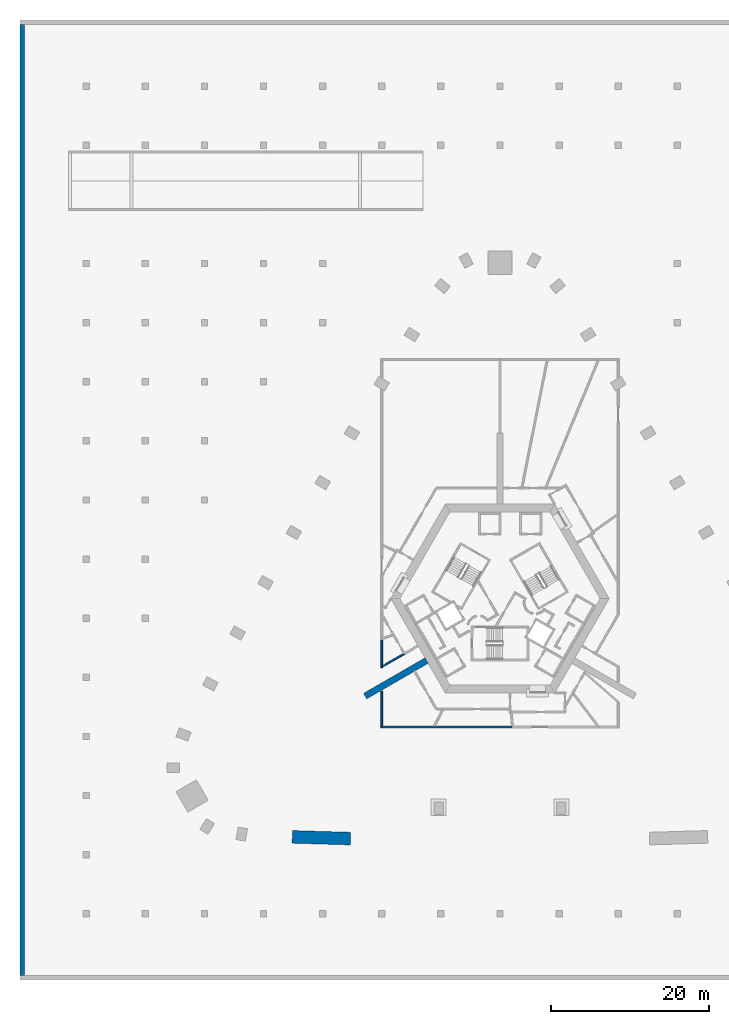
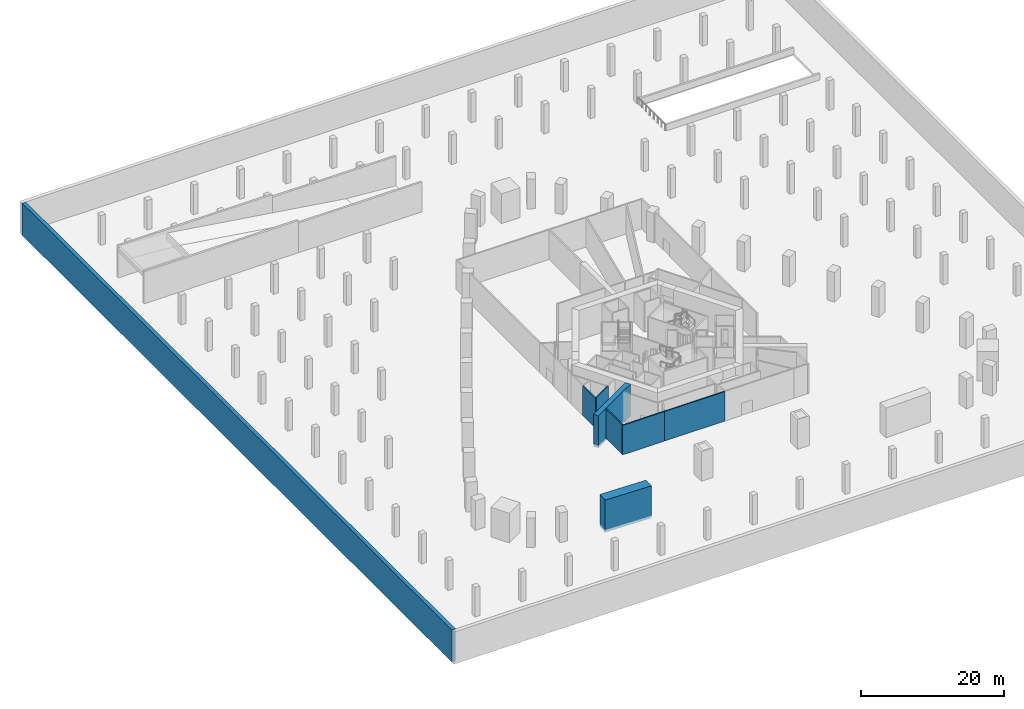
# One storey, part 2 of 12: 8 walls.
"""IFC4 building model written with IfcOpenShell, lengths in metres."""

from ifc_helpers import new_model, si_unit, direction, frame, frame_2d, origin, place, context, subcontext, project, spatial, polyline, rectangle, outline, extrude, material, layer, layer_set, type_object, element, save


model = new_model("IFC4")

# Units and contexts
model_context = context("Model", 3, precision=1e-05, world=origin(), true_north=direction((0.0, 1.0)))
body_context = subcontext(model_context, "Body", "Model", "MODEL_VIEW")
ifc_project = project(units=[si_unit("LENGTHUNIT", "METRE"), si_unit("AREAUNIT", "SQUARE_METRE"), si_unit("VOLUMEUNIT", "CUBIC_METRE"), si_unit("PLANEANGLEUNIT", "RADIAN"), si_unit("MASSUNIT", "GRAM", prefix="KILO")], contexts=[model_context])

# Site, building, storey
site_placement = place(None, origin())
site = spatial("IfcSite", under=ifc_project, at=site_placement, CompositionType="ELEMENT")
building_placement = place(site_placement, origin())
building = spatial("IfcBuilding", under=site, at=building_placement, Name="Entoto Arch Interchange Tower", CompositionType="ELEMENT")
storey_placement = place(building_placement, frame((0.0, 0.0, -11.0)))
storey = spatial("IfcBuildingStorey", under=building, at=storey_placement, Name="B2", CompositionType="ELEMENT", Elevation=-11.0)

# Walls
ifc_material_1 = material(Name="Concrete C60/75", Category="concrete")
ifc_layer_1 = layer(ifc_material_1, 1.60009765625)
ifc_layer_set_1 = layer_set([ifc_layer_1], Name="Concrete C60/75")
wall_type_1 = type_object("IfcWallType", Name="Arch leg wall 1600 C60/75", PredefinedType="SHEAR", material=ifc_layer_set_1)
wall_1_placement = place(storey_placement, frame((0.0, 0.0, -0.419921875)))
element("IfcWall", 1, at=wall_1_placement, inside=storey, type_object=wall_type_1, Name="Arch leg W B2", PredefinedType="SHEAR", context=body_context, shape_type="SweptSolid", body=[
    extrude(outline(polyline([(-26.376953125, -28.5400390625), (-19.0, -28.761962890625), (-18.97607421875, -27.162109375), (-26.321044921875, -26.94091796875), (-26.376953125, -28.5400390625)])), origin(), (0.0, 0.0, 1.0), 5.5),
])
ifc_material_2 = material(Name="Concrete C40/50", Category="concrete")
ifc_layer_2 = layer(ifc_material_2, 0.60009765625)
ifc_layer_set_2 = layer_set([ifc_layer_2], Name="Concrete C40/50")
wall_type_2 = type_object("IfcWallType", Name="Basement retaining wall 600 C40/50", PredefinedType="SOLIDWALL", material=ifc_layer_set_2)
wall_2_placement = place(storey_placement, frame((0.0, 0.0, -0.419921875)))
element("IfcWall", 2, at=wall_2_placement, inside=storey, type_object=wall_type_2, Name="Retaining wall B2", PredefinedType="SOLIDWALL", context=body_context, shape_type="SweptSolid", body=[
    extrude(outline(polyline([(-60.300048828125, -45.300048828125), (-60.300048828125, 75.300048828125), (-60.89990234375, 75.300048828125), (-60.89990234375, -45.300048828125), (-60.300048828125, -45.300048828125)])), origin(), (0.0, 0.0, 1.0), 5.5),
])
ifc_layer_3 = layer(ifc_material_1, 0.800048828125)
ifc_layer_set_3 = layer_set([ifc_layer_3], Name="Concrete C60/75")
wall_type_3 = type_object("IfcWallType", Name="Buttress wall 800 C60/75", PredefinedType="SHEAR", material=ifc_layer_set_3)
wall_3_placement = place(storey_placement, frame((-9.31005859375, -5.375, -0.419921875), z_axis=(0.0, 0.0, 1.0), x_axis=(-0.866017533419, -0.500013631625, 0.0)))
element("IfcWall", 3, at=wall_3_placement, inside=storey, type_object=wall_type_3, Name="Buttress wall SW B2", PredefinedType="SHEAR", context=body_context, shape_type="SweptSolid", body=[
    extrude(rectangle(XDim=8.999755859375, YDim=0.800048828125, at=frame_2d((4.5, 0.0))), origin(), (0.0, 0.0, 1.0), 5.5),
])
ifc_material_3 = material(Name="Gypsum board partition on steel studs", Category="steel")
ifc_layer_4 = layer(ifc_material_3, 0.199951171875)
ifc_layer_set_4 = layer_set([ifc_layer_4], Name="Gypsum board partition on steel studs")
wall_type_4 = type_object("IfcWallType", Name="PARTITION 200", PredefinedType="PARTITIONING", material=ifc_layer_set_4)
wall_4_placement = place(storey_placement, frame((-15.0, -13.699951171875, 0.0), z_axis=(0.0, 0.0, 1.0), x_axis=(0.0, 1.0, 0.0)))
element("IfcWall", 4, at=wall_4_placement, inside=storey, type_object=wall_type_4, Name="wall:B2:p018", PredefinedType="PARTITIONING", context=body_context, shape_type="SweptSolid", body=[
    extrude(rectangle(XDim=4.419921875, YDim=0.199951171875, at=frame_2d((2.2099609375, 0.0))), origin(), (0.0, 0.0, 1.0), 5.050048828125),
])
wall_5_placement = place(storey_placement, frame((-8.278076171875, -13.800048828125, 0.0), z_axis=(0.0, 0.0, 1.0), x_axis=(-1.0, 0.0, 0.0)))
element("IfcWall", 5, at=wall_5_placement, inside=storey, type_object=wall_type_4, Name="wall:B2:p020", PredefinedType="PARTITIONING", context=body_context, shape_type="SweptSolid", body=[
    extrude(rectangle(XDim=6.822021484375, YDim=0.199951171875, at=frame_2d((3.4111328125, 0.0))), origin(), (0.0, 0.0, 1.0), 5.050048828125),
])
wall_6_placement = place(storey_placement, frame((1.4970703125, -13.800048828125, 0.0), z_axis=(0.0, 0.0, 1.0), x_axis=(-1.0, 0.0, 0.0)))
element("IfcWall", 6, at=wall_6_placement, inside=storey, type_object=wall_type_4, Name="wall:B2:p021", PredefinedType="PARTITIONING", context=body_context, shape_type="SweptSolid", body=[
    extrude(rectangle(XDim=9.775146484375, YDim=0.199951171875, at=frame_2d((4.8876953125, 0.0))), origin(), (0.0, 0.0, 1.0), 5.050048828125),
])
wall_7_placement = place(storey_placement, frame((-12.037109375, -4.449951171875, 0.0), z_axis=(0.0, 0.0, 1.0), x_axis=(-0.866063163075, -0.499934593286, 0.0)))
element("IfcWall", 7, at=wall_7_placement, inside=storey, type_object=wall_type_4, Name="wall:B2:p066", PredefinedType="PARTITIONING", context=body_context, shape_type="SweptSolid", body=[
    extrude(rectangle(XDim=3.32080078125, YDim=0.199951171875, at=frame_2d((1.660400390625, 0.0))), origin(), (0.0, 0.0, 1.0), 5.050048828125),
])
wall_8_placement = place(storey_placement, frame((-15.0, -6.260009765625, 0.0), z_axis=(0.0, 0.0, 1.0), x_axis=(0.0, 1.0, 0.0)))
element("IfcWall", 8, at=wall_8_placement, inside=storey, type_object=wall_type_4, Name="wall:B2:p067", PredefinedType="PARTITIONING", context=body_context, shape_type="SweptSolid", body=[
    extrude(rectangle(XDim=3.553955078125, YDim=0.199951171875, at=frame_2d((1.77685546875, 0.0))), origin(), (0.0, 0.0, 1.0), 5.050048828125),
])

save(model, "model.ifc")
